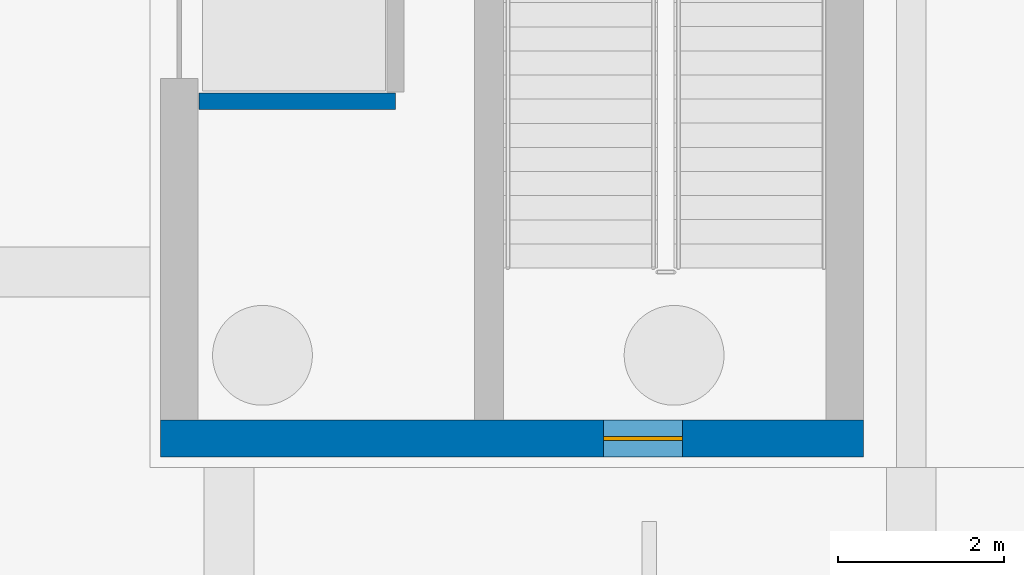
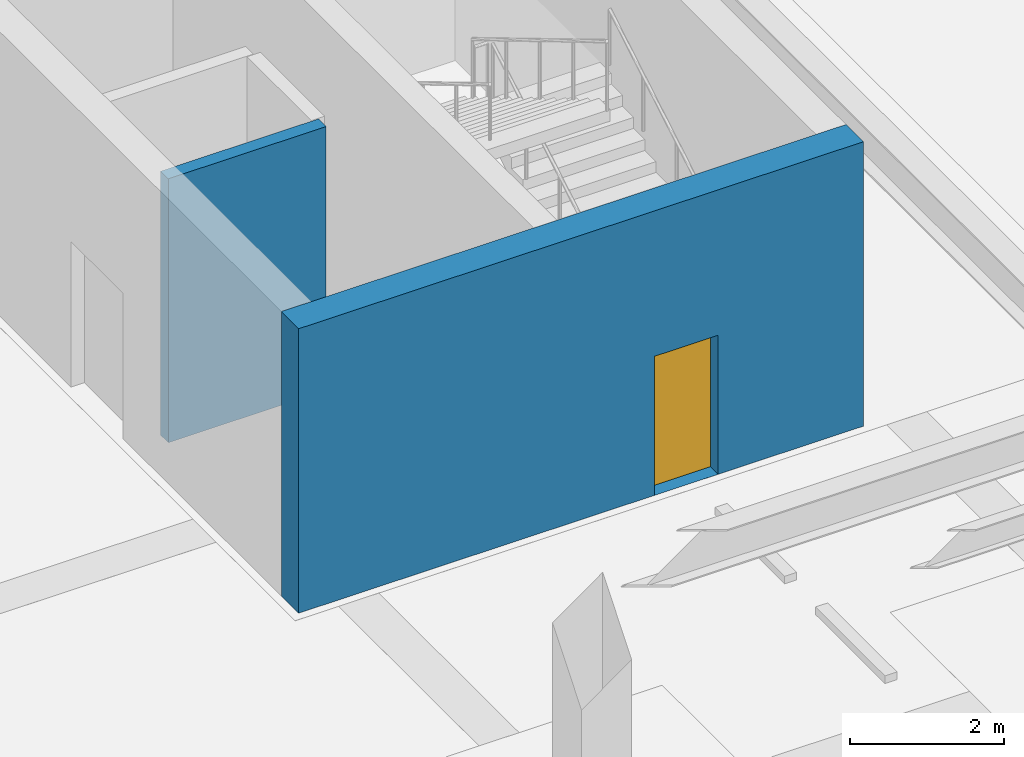
# One storey, part 31 of 49: 2 walls, 1 door, 1 opening.
"""IFC4 building model written with IfcOpenShell, lengths in metres."""

from ifc_helpers import new_model, si_unit, direction, frame, frame_2d, origin, place, context, subcontext, project, spatial, rectangle, extrude, material, layer, layer_set, type_object, element, fill, save


model = new_model("IFC4")

# Units and contexts
model_context = context("Model", 3, precision=1e-05, world=origin(), true_north=direction((0.0, 1.0)))
body_context = subcontext(model_context, "Body", "Model", "MODEL_VIEW")
ifc_project = project(units=[si_unit("LENGTHUNIT", "METRE"), si_unit("AREAUNIT", "SQUARE_METRE"), si_unit("VOLUMEUNIT", "CUBIC_METRE"), si_unit("PLANEANGLEUNIT", "RADIAN"), si_unit("MASSUNIT", "GRAM", prefix="KILO")], contexts=[model_context])

# Site, building, storey
site_placement = place(None, origin())
site = spatial("IfcSite", under=ifc_project, at=site_placement, CompositionType="ELEMENT")
building_placement = place(site_placement, origin())
building = spatial("IfcBuilding", under=site, at=building_placement, Name="Sollismere Congress Hotel", CompositionType="ELEMENT")
storey_placement = place(building_placement, frame((0.0, 0.0, -4.5)))
storey = spatial("IfcBuildingStorey", under=building, at=storey_placement, Name="B1", CompositionType="ELEMENT", Elevation=-4.5)

# Wall
ifc_material_1 = material(Name="Moisture-Resistant Shaft Gypsum Assembly")
ifc_layer_1 = layer(ifc_material_1, 0.199951171875, Name="Moisture-Resistant Shaft Gypsum Assembly")
ifc_layer_set_1 = layer_set([ifc_layer_1], Name="Moisture-Resistant Shaft Gypsum Assembly")
wall_type_1 = type_object("IfcWallType", Name="WL-PLM200", PredefinedType="PLUMBINGWALL", material=ifc_layer_set_1)
wall_1_placement = place(storey_placement, frame((9.43701171875, 60.455078125, 0.0), z_axis=(0.0, 0.0, 1.0), x_axis=(1.0, 0.0, 0.0)))
element("IfcWall", 1, at=wall_1_placement, inside=storey, type_object=wall_type_1, Name="Interior wall IW-B1-0636", PredefinedType="PLUMBINGWALL", context=body_context, shape_type="SweptSolid", body=[
    extrude(rectangle(XDim=2.363037109375, YDim=0.199951171875, at=frame_2d((1.181640625, 0.0))), origin(), (0.0, 0.0, 1.0), 4.175048828125),
])

# Wall, opening, door
ifc_material_2 = material(Name="Concrete C50/60", Category="concrete")
ifc_layer_2 = layer(ifc_material_2, 0.449951171875, Name="Concrete C50/60")
ifc_layer_set_2 = layer_set([ifc_layer_2], Name="Concrete C50/60")
wall_type_2 = type_object("IfcWallType", Name="WL-SHR450", PredefinedType="SHEAR", material=ifc_layer_set_2)
wall_2_placement = place(storey_placement, frame((8.97509765625, 56.39990234375, 0.0), z_axis=(0.0, 0.0, 1.0), x_axis=(1.0, 0.0, 0.0)))
wall_2 = element("IfcWall", 2, at=wall_2_placement, inside=storey, type_object=wall_type_2, Name="Interior wall IW-B1-0631", PredefinedType="SHEAR", context=body_context, shape_type="SweptSolid", body=[
    extrude(rectangle(XDim=8.449951171875, YDim=0.449951171875, at=frame_2d((4.22509765625, 0.0))), origin(), (0.0, 0.0, 1.0), 4.5),
])
opening_placement = place(wall_2_placement, frame((5.324951171875, 0.0, 0.0)))
opening = element("IfcOpeningElement", 3, at=opening_placement, cuts=wall_2, Name="Opening D-ST-05-B1", PredefinedType="OPENING", context=body_context, shape_type="SweptSolid", body=[
    extrude(rectangle(XDim=0.949951171875, YDim=2.199951171875, at=frame_2d((0.47509765625, 1.10009765625))), frame((0.0, 0.23486328125, 0.0), z_axis=(0.0, -1.0, 0.0), x_axis=(1.0, 0.0, 0.0)), (0.0, 0.0, 1.0), 0.469970703125),
])
ifc_material_3 = material(Name="Fire-Rated Insulated Steel Door", Category="steel")
door_type = type_object("IfcDoorType", Name="DR-FD90", OperationType="NOTDEFINED", PredefinedType="DOOR", material=ifc_material_3)
door_placement = place(opening_placement, origin())
door = element("IfcDoor", 4, at=door_placement, inside=storey, type_object=door_type, Name="Exit stair fire door D-ST-05-B1", OperationType="SINGLE_SWING_LEFT", OverallHeight=2.199951171875, OverallWidth=0.949951171875, PredefinedType="DOOR", context=body_context, shape_type="SweptSolid", body=[
    extrude(rectangle(XDim=0.949951171875, YDim=2.199951171875, at=frame_2d((0.47509765625, 1.10009765625))), frame((0.0, 0.02490234375, 0.0), z_axis=(0.0, -1.0, 0.0), x_axis=(1.0, 0.0, 0.0)), (0.0, 0.0, 1.0), 0.050048828125),
])
fill(opening, door)

save(model, "model.ifc")
